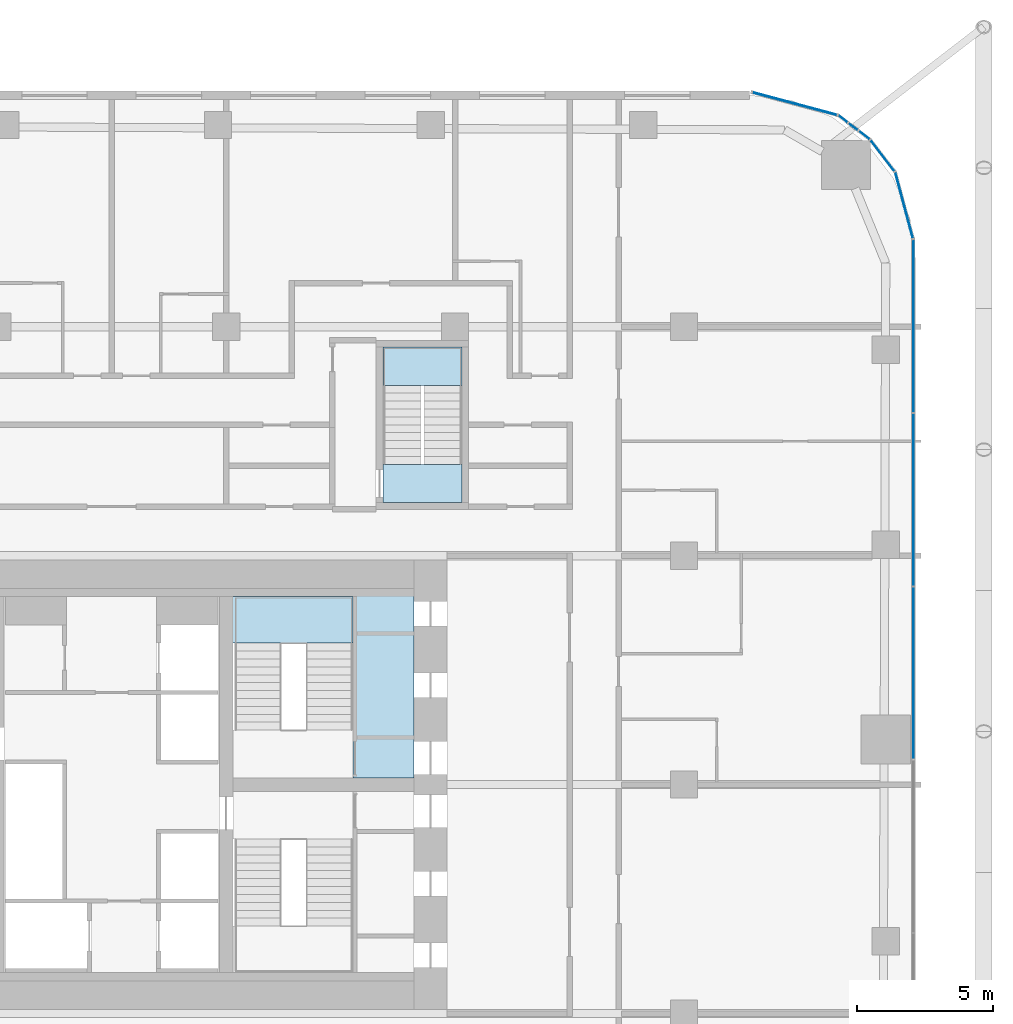
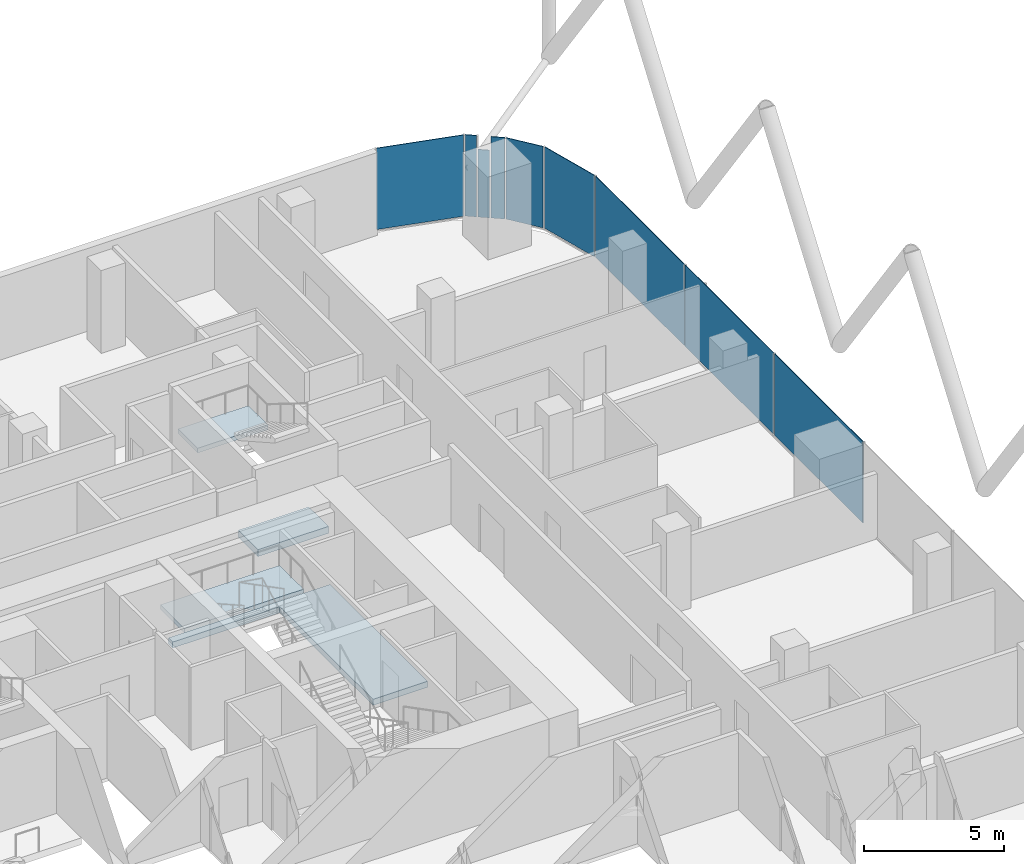
# One storey, part 23 of 34: 9 plates, 4 slabs, 9 elements without a shape of their own.
"""IFC4 building model written with IfcOpenShell, lengths in metres."""

from ifc_helpers import new_model, si_unit, direction, frame, origin, origin_2d, place, context, subcontext, project, spatial, polyline, rectangle, outline, extrude, material, layer, layer_set, type_object, element, aggregate, save


model = new_model("IFC4")

# Units and contexts
model_context = context("Model", 3, precision=1e-05, world=origin(), true_north=direction((0.0, 1.0)))
body_context = subcontext(model_context, "Body", "Model", "MODEL_VIEW")
ifc_project = project(units=[si_unit("LENGTHUNIT", "METRE"), si_unit("AREAUNIT", "SQUARE_METRE"), si_unit("VOLUMEUNIT", "CUBIC_METRE"), si_unit("PLANEANGLEUNIT", "RADIAN"), si_unit("MASSUNIT", "GRAM", prefix="KILO")], contexts=[model_context])

# Site, building, storey
site_placement = place(None, origin())
site = spatial("IfcSite", under=ifc_project, at=site_placement, CompositionType="ELEMENT")
building_placement = place(site_placement, origin())
building = spatial("IfcBuilding", under=site, at=building_placement, Name="Marenta Gate Hotel Tower", CompositionType="ELEMENT")
storey_placement = place(building_placement, frame((0.0, 0.0, 76.10009765625)))
storey = spatial("IfcBuildingStorey", under=building, at=storey_placement, Name="L17", CompositionType="ELEMENT", Elevation=76.10009765625)

# Slab
ifc_material_1 = material(Name="Concrete C40", Category="concrete")
ifc_layer_1 = layer(ifc_material_1, 0.260009765625)
ifc_layer_set_1 = layer_set([ifc_layer_1], Name="Concrete C40")
slab_type_1 = type_object("IfcSlabType", Name="Core floor slab 260", PredefinedType="FLOOR", material=ifc_layer_set_1)
slab_1_placement = place(storey_placement, frame((0.0, 0.0, -0.260009765625)))
element("IfcSlab", 1, at=slab_1_placement, inside=storey, type_object=slab_type_1, Name="L17-CF-3", PredefinedType="FLOOR", context=body_context, shape_type="SweptSolid", body=[
    extrude(outline(polyline([(8.85009765625, 15.300048828125), (4.449951171875, 15.300048828125), (4.449951171875, 15.60009765625), (11.10009765625, 15.60009765625), (11.10009765625, 8.64990234375), (8.85009765625, 8.64990234375), (8.85009765625, 8.699951171875), (8.85009765625, 10.39990234375), (8.85009765625, 15.300048828125)])), origin(), (0.0, 0.0, 1.0), 0.260009765625),
])

# Stair, slab
ifc_material_2 = material(Name="Concrete C40", Category="concrete")
stair_type_1 = type_object("IfcStairType", Name="Core exit stair 1700 wide", PredefinedType="HALF_TURN_STAIR", material=ifc_material_2)
stair_1_placement = place(storey_placement, origin())
stair_1 = element("IfcStair", 2, at=stair_1_placement, inside=storey, type_object=stair_type_1, Name="Exit stair 4", PredefinedType="HALF_TURN_STAIR")
ifc_material_3 = material(Name="Concrete C40", Category="concrete")
ifc_layer_2 = layer(ifc_material_3, 0.199951171875)
ifc_layer_set_2 = layer_set([ifc_layer_2], Name="Concrete C40")
slab_type_2 = type_object("IfcSlabType", Name="Core stair landing 200", PredefinedType="LANDING", material=ifc_layer_set_2)
slab_2_placement = place(storey_placement, frame((0.0, 0.0, 1.599853515625)))
slab_2 = element("IfcSlab", 3, at=slab_2_placement, type_object=slab_type_2, Name="SL-200 ST4 landing 1", PredefinedType="LANDING", context=body_context, shape_type="SweptSolid", body=[
    extrude(outline(polyline([(3.949951171875, 13.590087890625), (8.85009765625, 13.590087890625), (8.85009765625, 15.300048828125), (3.949951171875, 15.300048828125), (3.949951171875, 13.590087890625)])), origin(), (0.0, 0.0, 1.0), 0.199951171875),
])
aggregate(stair_1, [slab_2])

# Curtain wall, plates
ifc_material_4 = material(Name="Tinted insulated glass in bronze anodised frame", Category="glass")
ifc_layer_3 = layer(ifc_material_4, 0.1201171875)
ifc_layer_set_3 = layer_set([ifc_layer_3], Name="Tinted insulated glass in bronze anodised frame")
curtain_wall_type = type_object("IfcCurtainWallType", Name="Tower unitised curtain wall CW1", PredefinedType="NOTDEFINED", material=ifc_layer_set_3)
curtain_wall_1_placement = place(storey_placement, origin())
curtain_wall_1 = element("IfcCurtainWall", 4, at=curtain_wall_1_placement, inside=storey, type_object=curtain_wall_type, Name="CW1 run G18", PredefinedType="NOTDEFINED")
ifc_material_5 = material(Name="Tinted insulated glass", Category="glass")
ifc_layer_4 = layer(ifc_material_5, 0.028076171875)
ifc_layer_set_4 = layer_set([ifc_layer_4], Name="Tinted insulated glass")
plate_type = type_object("IfcPlateType", Name="Glass panel CW1 28 mm tinted insulated unit", PredefinedType="CURTAIN_PANEL", material=ifc_layer_set_4)
plate_1_placement = place(storey_placement, frame((29.4140625, 12.491943359375, 0.059814453125), z_axis=(0.0, 0.0, 1.0), x_axis=(0.0, 1.0, 0.0)))
plate_1 = element("IfcPlate", 5, at=plate_1_placement, type_object=plate_type, Name="CW1 panel 4.1", PredefinedType="CURTAIN_PANEL", context=body_context, shape_type="SweptSolid", body=[
    extrude(rectangle(XDim=6.300048828125, YDim=0.028076171875, at=origin_2d()), origin(), (0.0, 0.0, 1.0), 3.5400390625),
])
plate_2_placement = place(storey_placement, frame((29.4140625, 18.851806640625, 0.059814453125), z_axis=(0.0, 0.0, 1.0), x_axis=(0.0, 1.0, 0.0)))
plate_2 = element("IfcPlate", 6, at=plate_2_placement, type_object=plate_type, Name="CW1 panel 5.1", PredefinedType="CURTAIN_PANEL", context=body_context, shape_type="SweptSolid", body=[
    extrude(rectangle(XDim=6.300048828125, YDim=0.028076171875, at=origin_2d()), origin(), (0.0, 0.0, 1.0), 3.5400390625),
])
plate_3_placement = place(storey_placement, frame((29.4140625, 25.226806640625, 0.059814453125), z_axis=(0.0, 0.0, 1.0), x_axis=(0.0, 1.0, 0.0)))
plate_3 = element("IfcPlate", 7, at=plate_3_placement, type_object=plate_type, Name="CW1 panel 6.1", PredefinedType="CURTAIN_PANEL", context=body_context, shape_type="SweptSolid", body=[
    extrude(rectangle(XDim=6.330078125, YDim=0.028076171875, at=origin_2d()), origin(), (0.0, 0.0, 1.0), 3.5400390625),
])
aggregate(curtain_wall_1, [plate_1, plate_2, plate_3])

# Curtain wall, plate
curtain_wall_2_placement = place(storey_placement, origin())
curtain_wall_2 = element("IfcCurtainWall", 8, at=curtain_wall_2_placement, inside=storey, type_object=curtain_wall_type, Name="CW1 run G19", PredefinedType="NOTDEFINED")
plate_4_placement = place(storey_placement, frame((29.074951171875, 29.657470703125, 0.059814453125), z_axis=(0.0, 0.0, 1.0), x_axis=(-0.258821981125, 0.965925039579, 0.0)))
plate_4 = element("IfcPlate", 9, at=plate_4_placement, type_object=plate_type, Name="CW1 panel 1.1", PredefinedType="CURTAIN_PANEL", context=body_context, shape_type="SweptSolid", body=[
    extrude(rectangle(XDim=2.50048828125, YDim=0.028076171875, at=origin_2d()), origin(), (0.0, 0.0, 1.0), 3.5400390625),
])
aggregate(curtain_wall_2, [plate_4])

curtain_wall_3_placement = place(storey_placement, origin())
curtain_wall_3 = element("IfcCurtainWall", 10, at=curtain_wall_3_placement, inside=storey, type_object=curtain_wall_type, Name="CW1 run G20", PredefinedType="NOTDEFINED")
plate_5_placement = place(storey_placement, frame((28.280029296875, 31.47900390625, 0.059814453125), z_axis=(0.0, 0.0, 1.0), x_axis=(-0.608781405318, 0.79333801153, 0.0)))
plate_5 = element("IfcPlate", 11, at=plate_5_placement, type_object=plate_type, Name="CW1 panel 1.1", PredefinedType="CURTAIN_PANEL", context=body_context, shape_type="SweptSolid", body=[
    extrude(rectangle(XDim=1.427978515625, YDim=0.028076171875, at=origin_2d()), origin(), (0.0, 0.0, 1.0), 3.5400390625),
])
aggregate(curtain_wall_3, [plate_5])

curtain_wall_4_placement = place(storey_placement, origin())
curtain_wall_4 = element("IfcCurtainWall", 12, at=curtain_wall_4_placement, inside=storey, type_object=curtain_wall_type, Name="CW1 run G21", PredefinedType="NOTDEFINED")
plate_6_placement = place(storey_placement, frame((27.606201171875, 32.229248046875, 0.059814453125), z_axis=(0.0, 0.0, 1.0), x_axis=(-0.793327924254, 0.608794550401, 0.0)))
plate_6 = element("IfcPlate", 13, at=plate_6_placement, type_object=plate_type, Name="CW1 panel 1.1", PredefinedType="CURTAIN_PANEL", context=body_context, shape_type="SweptSolid", body=[
    extrude(rectangle(XDim=0.4833984375, YDim=0.028076171875, at=origin_2d()), origin(), (0.0, 0.0, 1.0), 3.5400390625),
])
aggregate(curtain_wall_4, [plate_6])

curtain_wall_5_placement = place(storey_placement, origin())
curtain_wall_5 = element("IfcCurtainWall", 14, at=curtain_wall_5_placement, inside=storey, type_object=curtain_wall_type, Name="CW1 run G22", PredefinedType="NOTDEFINED")
plate_7_placement = place(storey_placement, frame((27.20458984375, 32.537353515625, 0.059814453125), z_axis=(0.0, 0.0, 1.0), x_axis=(-0.793345275313, 0.608771939349, 0.0)))
plate_7 = element("IfcPlate", 15, at=plate_7_placement, type_object=plate_type, Name="CW1 panel 1.1", PredefinedType="CURTAIN_PANEL", context=body_context, shape_type="SweptSolid", body=[
    extrude(rectangle(XDim=0.40869140625, YDim=0.028076171875, at=origin_2d()), origin(), (0.0, 0.0, 1.0), 2.9404296875),
])
aggregate(curtain_wall_5, [plate_7])

curtain_wall_6_placement = place(storey_placement, origin())
curtain_wall_6 = element("IfcCurtainWall", 16, at=curtain_wall_6_placement, inside=storey, type_object=curtain_wall_type, Name="CW1 run G23", PredefinedType="NOTDEFINED")
plate_8_placement = place(storey_placement, frame((26.830078125, 32.82470703125, 0.059814453125), z_axis=(0.0, 0.0, 1.0), x_axis=(-0.793342380821, 0.608775711402, 0.0)))
plate_8 = element("IfcPlate", 17, at=plate_8_placement, type_object=plate_type, Name="CW1 panel 1.1", PredefinedType="CURTAIN_PANEL", context=body_context, shape_type="SweptSolid", body=[
    extrude(rectangle(XDim=0.415771484375, YDim=0.028076171875, at=origin_2d()), origin(), (0.0, 0.0, 1.0), 3.5400390625),
])
aggregate(curtain_wall_6, [plate_8])

curtain_wall_7_placement = place(storey_placement, origin())
curtain_wall_7 = element("IfcCurtainWall", 18, at=curtain_wall_7_placement, inside=storey, type_object=curtain_wall_type, Name="CW1 run G24", PredefinedType="NOTDEFINED")
plate_9_placement = place(storey_placement, frame((25.060791015625, 33.381103515625, 0.059814453125), z_axis=(0.0, 0.0, 1.0), x_axis=(-0.965928970532, 0.258807310344, 0.0)))
plate_9 = element("IfcPlate", 19, at=plate_9_placement, type_object=plate_type, Name="CW1 panel 1.1", PredefinedType="CURTAIN_PANEL", context=body_context, shape_type="SweptSolid", body=[
    extrude(rectangle(XDim=3.20166015625, YDim=0.028076171875, at=origin_2d()), origin(), (0.0, 0.0, 1.0), 3.5400390625),
])
aggregate(curtain_wall_7, [plate_9])

# Stair, slab
ifc_material_6 = material(Name="Concrete C40", Category="concrete")
stair_type_2 = type_object("IfcStairType", Name="Remote exit stair 1400 wide", PredefinedType="HALF_TURN_STAIR", material=ifc_material_6)
stair_2_placement = place(storey_placement, origin())
stair_2 = element("IfcStair", 20, at=stair_2_placement, inside=storey, type_object=stair_type_2, Name="Exit stair RS-Z1-4", PredefinedType="HALF_TURN_STAIR")
ifc_material_7 = material(Name="Concrete C40", Category="concrete")
ifc_layer_5 = layer(ifc_material_7, 0.199951171875)
ifc_layer_set_5 = layer_set([ifc_layer_5], Name="Concrete C40")
slab_type_3 = type_object("IfcSlabType", Name="Remote stair landing 200", PredefinedType="LANDING", material=ifc_layer_set_5)
slab_3_placement = place(storey_placement, frame((0.0, 0.0, 1.599853515625)))
slab_3 = element("IfcSlab", 21, at=slab_3_placement, type_object=slab_type_3, Name="RL-200 RS-Z1-4 landing 1", PredefinedType="LANDING", context=body_context, shape_type="SweptSolid", body=[
    extrude(outline(polyline([(9.949951171875, 23.050048828125), (12.85009765625, 23.050048828125), (12.85009765625, 24.449951171875), (9.949951171875, 24.449951171875), (9.949951171875, 23.050048828125)])), origin(), (0.0, 0.0, 1.0), 0.199951171875),
])
aggregate(stair_2, [slab_3])

# Slab
ifc_material_8 = material(Name="Concrete C40", Category="concrete")
ifc_layer_6 = layer(ifc_material_8, 0.300048828125)
ifc_layer_set_6 = layer_set([ifc_layer_6], Name="Concrete C40")
slab_type_4 = type_object("IfcSlabType", Name="Stair floor landing slab 300", PredefinedType="FLOOR", material=ifc_layer_set_6)
slab_4_placement = place(storey_placement, frame((0.0, 0.0, -0.300048828125)))
element("IfcSlab", 22, at=slab_4_placement, inside=storey, type_object=slab_type_4, Name="L17-RS-Z1-4-CL", PredefinedType="FLOOR", context=body_context, shape_type="SweptSolid", body=[
    extrude(outline(polyline([(12.85009765625, 18.75), (12.85009765625, 20.14990234375), (9.949951171875, 20.14990234375), (9.949951171875, 18.75), (12.85009765625, 18.75)])), origin(), (0.0, 0.0, 1.0), 0.300048828125),
])

save(model, "model.ifc")
